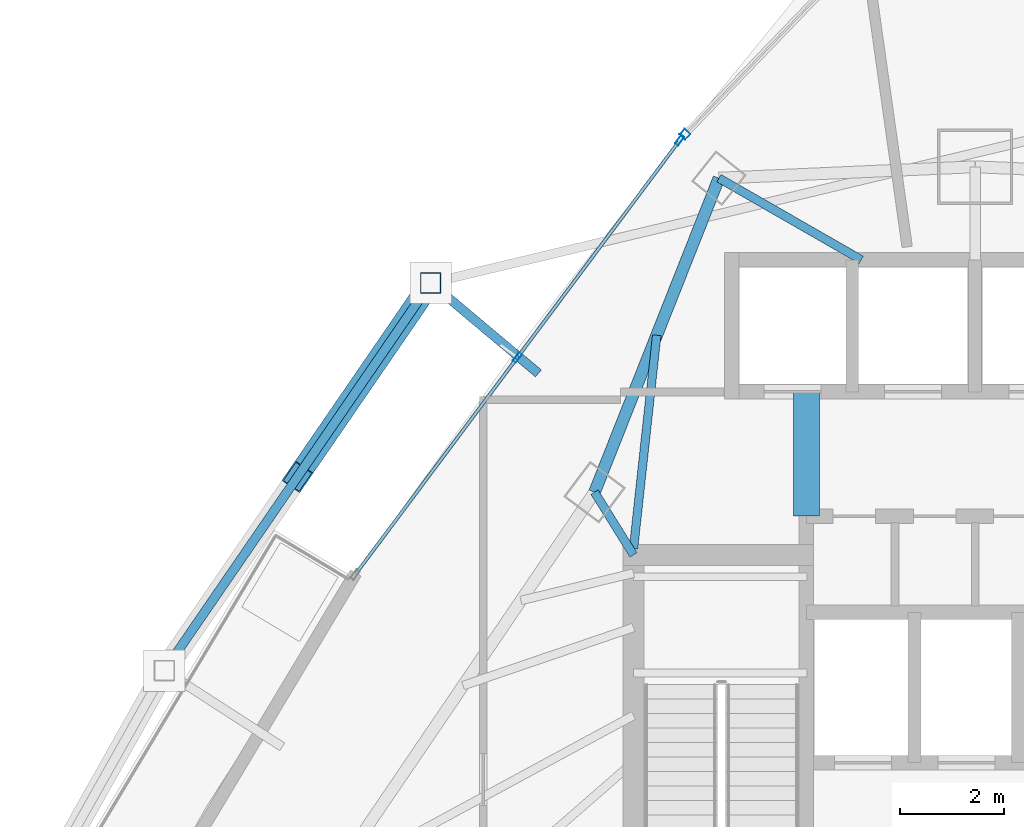
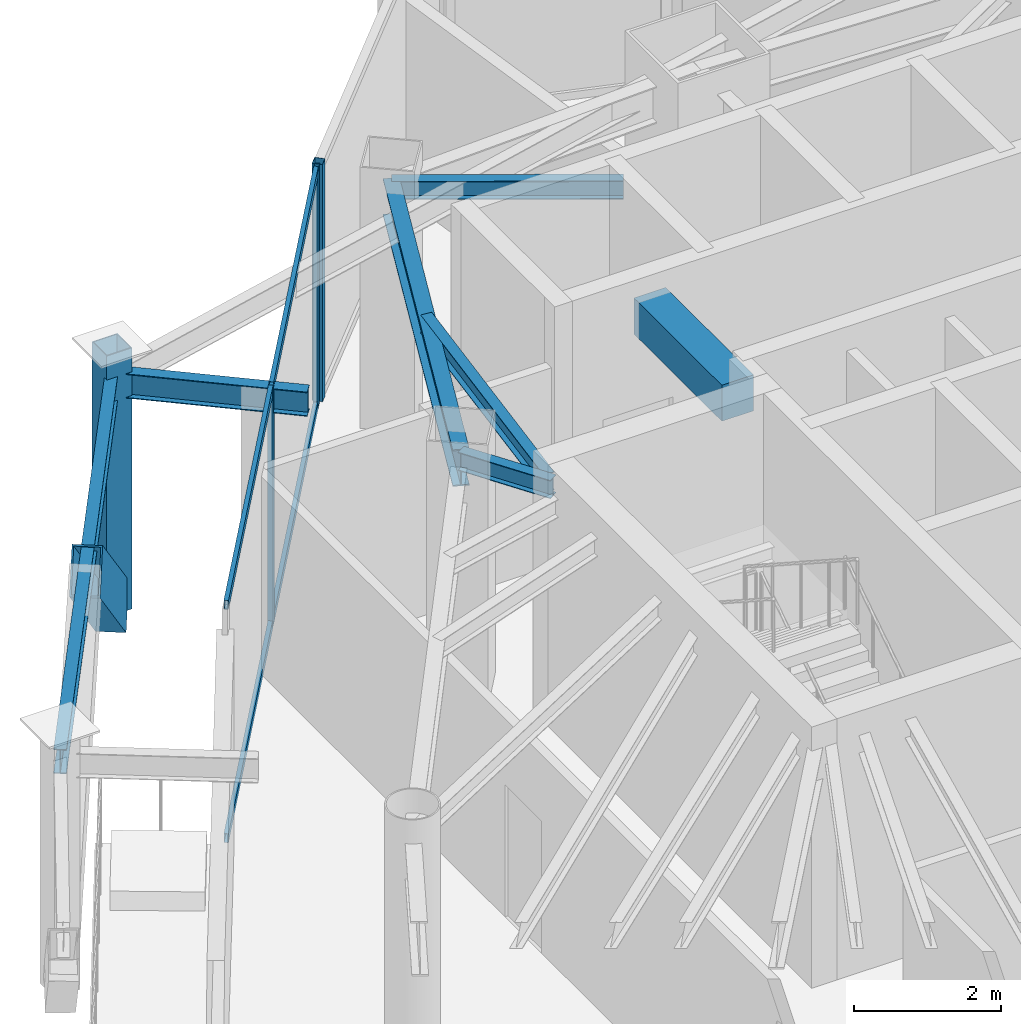
# One storey, part 18 of 27: 9 members, 7 beams, 2 elements without a shape of their own.
"""IFC4 building model written with IfcOpenShell, lengths in metres."""

from ifc_helpers import new_model, si_unit, direction, frame, origin, origin_2d, place, context, subcontext, project, spatial, rectangle, hollow_rectangle, i_section, extrude, material, layer, layer_set, material_profile, profile_set, type_object, element, aggregate, save


model = new_model("IFC4")

# Units and contexts
model_context = context("Model", 3, precision=1e-05, world=origin(), true_north=direction((0.0, 1.0)))
body_context = subcontext(model_context, "Body", "Model", "MODEL_VIEW")
ifc_project = project(units=[si_unit("LENGTHUNIT", "METRE"), si_unit("AREAUNIT", "SQUARE_METRE"), si_unit("VOLUMEUNIT", "CUBIC_METRE"), si_unit("PLANEANGLEUNIT", "RADIAN"), si_unit("MASSUNIT", "GRAM", prefix="KILO")], contexts=[model_context])

# Site, building, storey
site_placement = place(None, origin())
site = spatial("IfcSite", under=ifc_project, at=site_placement, CompositionType="ELEMENT")
building_placement = place(site_placement, origin())
building = spatial("IfcBuilding", under=site, at=building_placement, Name="Orvanel Arch Residences", CompositionType="ELEMENT")
storey_placement = place(building_placement, frame((0.0, 0.0, 186.949951171875)))
storey = spatial("IfcBuildingStorey", under=building, at=storey_placement, Name="L53", CompositionType="ELEMENT", Elevation=186.949951171875)

# Beams
ifc_material_1 = material(Name="Structural steel AS/NZS 3679.1 Grade 300 (300 MPa)", Category="steel")
ifc_material_profile_1 = material_profile(ifc_material_1, i_section(OverallWidth=0.1650390625, OverallDepth=0.303955078125, WebThickness=0.006103515625, FlangeThickness=0.01025390625, at=origin_2d()), Name="310UB40.4")
ifc_profile_set_1 = profile_set([ifc_material_profile_1], Name="Structural steel AS/NZS 3679.1 Grade 300 (300 MPa)")
beam_type_1 = type_object("IfcBeamType", Name="BJ-310UB", PredefinedType="JOIST", material=ifc_profile_set_1)
beam_1_placement = place(storey_placement, frame((26.39990234375, 33.89990234375, 3.798095703125), z_axis=(-0.526843290616, 0.84996243866, 0.0), x_axis=(-0.84996243866, -0.526843290616, 0.0)))
element("IfcBeam", 1, at=beam_1_placement, inside=storey, type_object=beam_type_1, Name="L53 NNW Wing Floor Joist", PredefinedType="JOIST", context=body_context, shape_type="SweptSolid", body=[
    extrude(i_section(OverallWidth=0.1650390625, OverallDepth=0.303955078125, WebThickness=0.006103515625, FlangeThickness=0.01025390625, at=origin_2d()), origin(), (0.0, 0.0, 1.0), 1.42724609375),
])
beam_2_placement = place(storey_placement, frame((26.39990234375, 34.02001953125, 3.798095703125), z_axis=(0.108261441852, 0.99412245735, 0.0), x_axis=(-0.99412245735, 0.108261441852, 0.0)))
element("IfcBeam", 2, at=beam_2_placement, inside=storey, type_object=beam_type_1, Name="L53 NNW2 Wing Floor Joist", PredefinedType="JOIST", context=body_context, shape_type="SweptSolid", body=[
    extrude(i_section(OverallWidth=0.1650390625, OverallDepth=0.303955078125, WebThickness=0.006103515625, FlangeThickness=0.01025390625, at=origin_2d()), origin(), (0.0, 0.0, 1.0), 4.1494140625),
])
beam_3_placement = place(storey_placement, frame((30.800048828125, 39.60009765625, 3.798095703125), z_axis=(-0.86736513383, 0.497672306458, 0.0), x_axis=(-0.497672306458, -0.86736513383, 0.0)))
element("IfcBeam", 3, at=beam_3_placement, inside=storey, type_object=beam_type_1, Name="L53 MNW Wing Floor Joist", PredefinedType="JOIST", context=body_context, shape_type="SweptSolid", body=[
    extrude(i_section(OverallWidth=0.1650390625, OverallDepth=0.303955078125, WebThickness=0.006103515625, FlangeThickness=0.01025390625, at=origin_2d()), origin(), (0.0, 0.0, 1.0), 3.17041015625),
])

# Member
ifc_material_2 = material(Name="Structural steel AS/NZS 3678 Grade 350", Category="steel")
ifc_material_profile_2 = material_profile(ifc_material_2, hollow_rectangle(XDim=0.419921875, YDim=0.719970703125, WallThickness=0.02490234375, at=origin_2d()), Name="RHS720x420x25")
ifc_profile_set_2 = profile_set([ifc_material_profile_2], Name="Structural steel AS/NZS 3678 Grade 350")
member_type_1 = type_object("IfcMemberType", Name="BR-720RHS-EXT", PredefinedType="BRACE", material=ifc_profile_set_2)
member_1_placement = place(storey_placement, frame((22.48291015625, 39.154052734375, 0.0), z_axis=(-0.436787290249, -0.635839571264, 0.636337098315), x_axis=(0.824255140737, -0.566218564663, 0.0)))
element("IfcMember", 4, at=member_1_placement, inside=storey, type_object=member_type_1, Name="L53 Exterior Sky-Garden V-Frame Chevron F1B1.1", PredefinedType="BRACE", context=body_context, shape_type="SweptSolid", body=[
    extrude(hollow_rectangle(XDim=0.419921875, YDim=0.719970703125, WallThickness=0.02490234375, at=origin_2d()), origin(), (0.0, 0.0, 1.0), 5.888427734375),
])

# Beam
ifc_material_3 = material(Name="Concrete S65 (65 MPa)", Category="concrete")
ifc_material_profile_3 = material_profile(ifc_material_3, rectangle(XDim=0.5, YDim=0.60009765625, at=origin_2d()), Name="RC500x600")
ifc_profile_set_3 = profile_set([ifc_material_profile_3], Name="Concrete S65 (65 MPa)")
beam_type_2 = type_object("IfcBeamType", Name="CB-500x600", PredefinedType="LINTEL", material=ifc_profile_set_3)
beam_4_placement = place(storey_placement, frame((29.739990234375, 34.64990234375, 3.650146484375), z_axis=(0.0, 1.0, 0.0), x_axis=(-1.0, 0.0, 0.0)))
element("IfcBeam", 5, at=beam_4_placement, inside=storey, type_object=beam_type_2, Name="L53 West Core Lobby Coupling Lintel Beam", PredefinedType="LINTEL", context=body_context, shape_type="SweptSolid", body=[
    extrude(rectangle(XDim=0.5, YDim=0.60009765625, at=origin_2d()), origin(), (0.0, 0.0, 1.0), 2.400146484375),
])

# Curtain wall, member
ifc_material_4 = material(Name="Bronze-anodised aluminium AA6063-T6", Category="aluminium")
ifc_layer_1 = layer(ifc_material_4, 0.18994140625)
ifc_layer_set_1 = layer_set([ifc_layer_1], Name="Bronze-anodised aluminium AA6063-T6")
curtain_wall_type_1 = type_object("IfcCurtainWallType", Name="CW5-CRN-SYS", PredefinedType="NOTDEFINED", material=ifc_layer_set_1)
curtain_wall_1_placement = place(storey_placement, origin())
curtain_wall_1 = element("IfcCurtainWall", 6, at=curtain_wall_1_placement, inside=storey, type_object=curtain_wall_type_1, Name="L53 CW5-CRN-SYS Unitised Curtain Wall", PredefinedType="NOTDEFINED")
ifc_material_profile_4 = material_profile(ifc_material_4, hollow_rectangle(XDim=0.14990234375, YDim=0.14990234375, WallThickness=0.0048828125, at=origin_2d()), Name="ALU150x150x5")
ifc_profile_set_4 = profile_set([ifc_material_profile_4], Name="Bronze-anodised aluminium AA6063-T6")
member_type_2 = type_object("IfcMemberType", Name="MUL-150x150", PredefinedType="MULLION", material=ifc_profile_set_4)
member_2_placement = place(storey_placement, frame((27.39306640625, 42.02392578125, 0.0), z_axis=(0.0, 0.0, 1.0), x_axis=(0.720149000045, -0.693819441738, 0.0)))
member_2 = element("IfcMember", 7, at=member_2_placement, type_object=member_type_2, Name="CW-S5 mullion 2", PredefinedType="MULLION", context=body_context, shape_type="SweptSolid", body=[
    extrude(hollow_rectangle(XDim=0.14990234375, YDim=0.14990234375, WallThickness=0.0048828125, at=origin_2d()), origin(), (0.0, 0.0, 1.0), 3.949951171875),
])
aggregate(curtain_wall_1, [member_2])

# Curtain wall, members
ifc_layer_2 = layer(ifc_material_4, 0.195068359375)
ifc_layer_set_2 = layer_set([ifc_layer_2], Name="Bronze-anodised aluminium AA6063-T6")
curtain_wall_type_2 = type_object("IfcCurtainWallType", Name="CW6-COM-SYS", PredefinedType="NOTDEFINED", material=ifc_layer_set_2)
curtain_wall_2_placement = place(storey_placement, origin())
curtain_wall_2 = element("IfcCurtainWall", 8, at=curtain_wall_2_placement, inside=storey, type_object=curtain_wall_type_2, Name="L53 CW6-COM-SYS Unitised Curtain Wall", PredefinedType="NOTDEFINED")
ifc_material_profile_5 = material_profile(ifc_material_4, hollow_rectangle(XDim=0.074951171875, YDim=0.199951171875, WallThickness=0.0048828125, at=origin_2d()), Name="ALU200x75x5")
ifc_profile_set_5 = profile_set([ifc_material_profile_5], Name="Bronze-anodised aluminium AA6063-T6")
member_type_3 = type_object("IfcMemberType", Name="MUL-200x75", PredefinedType="MULLION", material=ifc_profile_set_5)
member_3_placement = place(storey_placement, frame((27.29248046875, 41.909912109375, 0.0), z_axis=(0.0, 0.0, 1.0), x_axis=(0.801033624698, -0.598619354935, 0.0)))
member_3 = element("IfcMember", 9, at=member_3_placement, type_object=member_type_3, Name="CW-S6 mullion 1", PredefinedType="MULLION", context=body_context, shape_type="SweptSolid", body=[
    extrude(hollow_rectangle(XDim=0.074951171875, YDim=0.199951171875, WallThickness=0.0048828125, at=origin_2d()), origin(), (0.0, 0.0, 1.0), 3.949951171875),
])
member_4_placement = place(storey_placement, frame((24.156494140625, 37.71337890625, 0.0), z_axis=(0.0, 0.0, 1.0), x_axis=(0.801033624698, -0.598619354935, 0.0)))
member_4 = element("IfcMember", 10, at=member_4_placement, type_object=member_type_3, Name="CW-S6 mullion 2", PredefinedType="MULLION", context=body_context, shape_type="SweptSolid", body=[
    extrude(hollow_rectangle(XDim=0.074951171875, YDim=0.199951171875, WallThickness=0.0048828125, at=origin_2d()), origin(), (0.0, 0.0, 1.0), 3.949951171875),
])

# Beams
ifc_material_profile_6 = material_profile(ifc_material_1, i_section(OverallWidth=0.177978515625, OverallDepth=0.406005859375, WebThickness=0.0078125, FlangeThickness=0.0126953125, at=origin_2d()), Name="410UB59.7")
ifc_profile_set_6 = profile_set([ifc_material_profile_6], Name="Structural steel AS/NZS 3679.1 Grade 300 (300 MPa)")
beam_type_3 = type_object("IfcBeamType", Name="OB-410UB-EXT", PredefinedType="SPANDREL", material=ifc_profile_set_6)
beam_5_placement = place(storey_placement, frame((24.56494140625, 37.406005859375, 3.7470703125), z_axis=(-0.765860527533, 0.643006728088, 0.0), x_axis=(-0.643006728088, -0.765860527533, 0.0)))
element("IfcBeam", 11, at=beam_5_placement, inside=storey, type_object=beam_type_3, Name="L53 Outer Frame Radial Tie Beam 01", PredefinedType="SPANDREL", context=body_context, shape_type="SweptSolid", body=[
    extrude(i_section(OverallWidth=0.177978515625, OverallDepth=0.406005859375, WebThickness=0.0078125, FlangeThickness=0.0126953125, at=origin_2d()), origin(), (0.0, 0.0, 1.0), 2.718505859375),
])
beam_6_placement = place(storey_placement, frame((22.48291015625, 39.154052734375, 3.7470703125), z_axis=(-0.566162682784, -0.824293525768, 0.0), x_axis=(0.824293525768, -0.566162682784, 0.0)))
element("IfcBeam", 12, at=beam_6_placement, inside=storey, type_object=beam_type_3, Name="L53 Outer Perimeter Floor Ring Beam 01", PredefinedType="SPANDREL", context=body_context, shape_type="SweptSolid", body=[
    extrude(i_section(OverallWidth=0.177978515625, OverallDepth=0.406005859375, WebThickness=0.0078125, FlangeThickness=0.0126953125, at=origin_2d()), origin(), (0.0, 0.0, 1.0), 9.08544921875),
])
ifc_material_profile_7 = material_profile(ifc_material_1, i_section(OverallWidth=0.22900390625, OverallDepth=0.612060546875, WebThickness=0.011962890625, FlangeThickness=0.01953125, at=origin_2d()), Name="610UB125")
ifc_profile_set_7 = profile_set([ifc_material_profile_7], Name="Structural steel AS/NZS 3679.1 Grade 300 (300 MPa)")
beam_type_4 = type_object("IfcBeamType", Name="SP-610UB", PredefinedType="SPANDREL", material=ifc_profile_set_7)
beam_7_placement = place(storey_placement, frame((28.050048828125, 41.177978515625, 3.64404296875), z_axis=(-0.368233143579, -0.929733484376, 0.0), x_axis=(0.929733484376, -0.368233143579, 0.0)))
element("IfcBeam", 13, at=beam_7_placement, inside=storey, type_object=beam_type_4, Name="L53 Perimeter Spandrel Beam 16", PredefinedType="SPANDREL", context=body_context, shape_type="SweptSolid", body=[
    extrude(i_section(OverallWidth=0.22900390625, OverallDepth=0.612060546875, WebThickness=0.011962890625, FlangeThickness=0.01953125, at=origin_2d()), origin(), (0.0, 0.0, 1.0), 6.523193359375),
])

# Member
ifc_material_5 = material(Name="Structural steel AS/NZS 1163 C450L0 (Grade 450)", Category="steel")
ifc_material_profile_8 = material_profile(ifc_material_5, hollow_rectangle(XDim=0.39990234375, YDim=0.39990234375, WallThickness=0.01611328125, at=origin_2d()), Name="SHS400x400x16")
ifc_profile_set_8 = profile_set([ifc_material_profile_8], Name="Structural steel AS/NZS 1163 C450L0 (Grade 450)")
member_type_4 = type_object("IfcMemberType", Name="ST-400SHS-EXT", PredefinedType="STRUT", material=ifc_profile_set_8)
member_5_placement = place(storey_placement, frame((22.48291015625, 39.154052734375, 0.0), z_axis=(0.0, 0.0, 1.0), x_axis=(1.0, 0.0, 0.0)))
element("IfcMember", 14, at=member_5_placement, inside=storey, type_object=member_type_4, Name="L53 Outer Perimeter Frame Post 01", PredefinedType="STRUT", context=body_context, shape_type="SweptSolid", body=[
    extrude(hollow_rectangle(XDim=0.39990234375, YDim=0.39990234375, WallThickness=0.01611328125, at=origin_2d()), origin(), (0.0, 0.0, 1.0), 4.35009765625),
])

ifc_material_profile_9 = material_profile(ifc_material_4, hollow_rectangle(XDim=0.06494140625, YDim=0.14990234375, WallThickness=0.00390625, at=origin_2d()), Name="ALU150x65x4")
ifc_profile_set_9 = profile_set([ifc_material_profile_9], Name="Bronze-anodised aluminium AA6063-T6")
member_type_5 = type_object("IfcMemberType", Name="TRN-150x65", PredefinedType="USERDEFINED", material=ifc_profile_set_9)
member_6_placement = place(storey_placement, frame((27.27001953125, 41.8798828125, 0.032470703125), z_axis=(-0.598622294332, -0.801031428053, 0.0), x_axis=(0.801031428053, -0.598622294332, 0.0)))
member_6 = element("IfcMember", 15, at=member_6_placement, type_object=member_type_5, Name="CW-S6 transom 1.1", ObjectType="TRANSOM", PredefinedType="USERDEFINED", context=body_context, shape_type="SweptSolid", body=[
    extrude(hollow_rectangle(XDim=0.06494140625, YDim=0.14990234375, WallThickness=0.00390625, at=origin_2d()), origin(), (0.0, 0.0, 1.0), 5.16357421875),
])

member_7_placement = place(storey_placement, frame((27.27001953125, 41.8798828125, 3.91748046875), z_axis=(-0.598622294332, -0.801031428053, 0.0), x_axis=(0.801031428053, -0.598622294332, 0.0)))
member_7 = element("IfcMember", 16, at=member_7_placement, type_object=member_type_5, Name="CW-S6 transom 1.2", ObjectType="TRANSOM", PredefinedType="USERDEFINED", context=body_context, shape_type="SweptSolid", body=[
    extrude(hollow_rectangle(XDim=0.06494140625, YDim=0.14990234375, WallThickness=0.00390625, at=origin_2d()), origin(), (0.0, 0.0, 1.0), 5.16357421875),
])

member_8_placement = place(storey_placement, frame((24.134033203125, 37.683349609375, 0.032470703125), z_axis=(-0.598622294332, -0.801031428053, 0.0), x_axis=(0.801031428053, -0.598622294332, 0.0)))
member_8 = element("IfcMember", 17, at=member_8_placement, type_object=member_type_5, Name="CW-S6 transom 2.1", ObjectType="TRANSOM", PredefinedType="USERDEFINED", context=body_context, shape_type="SweptSolid", body=[
    extrude(hollow_rectangle(XDim=0.06494140625, YDim=0.14990234375, WallThickness=0.00390625, at=origin_2d()), origin(), (0.0, 0.0, 1.0), 5.16357421875),
])

member_9_placement = place(storey_placement, frame((24.134033203125, 37.683349609375, 3.91748046875), z_axis=(-0.598622294332, -0.801031428053, 0.0), x_axis=(0.801031428053, -0.598622294332, 0.0)))
member_9 = element("IfcMember", 18, at=member_9_placement, type_object=member_type_5, Name="CW-S6 transom 2.2", ObjectType="TRANSOM", PredefinedType="USERDEFINED", context=body_context, shape_type="SweptSolid", body=[
    extrude(hollow_rectangle(XDim=0.06494140625, YDim=0.14990234375, WallThickness=0.00390625, at=origin_2d()), origin(), (0.0, 0.0, 1.0), 5.16357421875),
])

aggregate(curtain_wall_2, [member_3, member_4, member_6, member_7, member_8, member_9])

save(model, "model.ifc")
